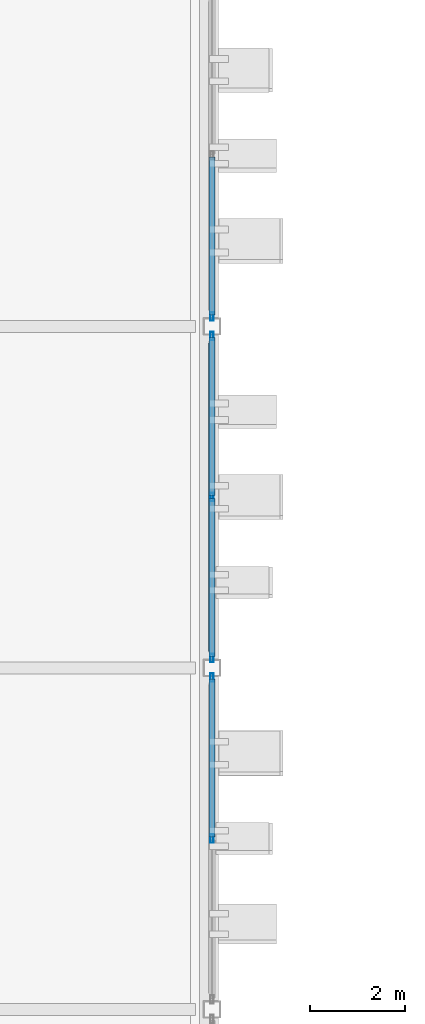
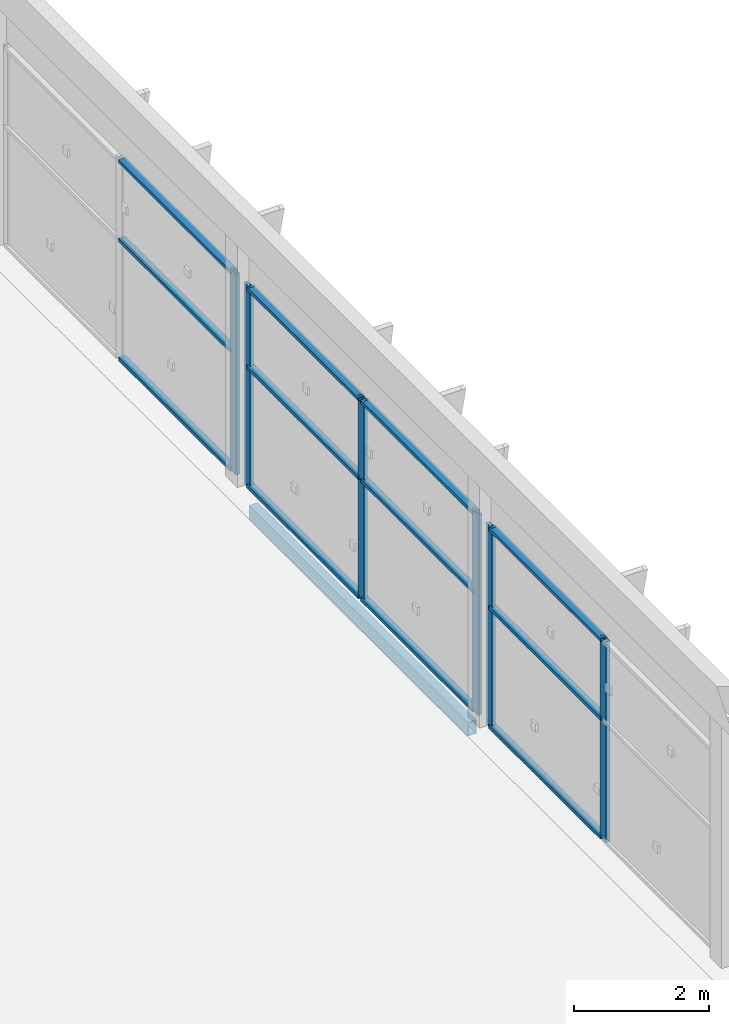
# One storey, part 52 of 124: 18 members, 1 beam, 3 elements without a shape of their own.
"""IFC4 building model written with IfcOpenShell, lengths in metres."""

from ifc_helpers import new_model, si_unit, direction, frame, origin, origin_2d, place, context, subcontext, project, spatial, hollow_rectangle, extrude, material, layer, layer_set, material_profile, profile_set, type_object, element, aggregate, save


model = new_model("IFC4")

# Units and contexts
model_context = context("Model", 3, precision=1e-05, world=origin(), true_north=direction((0.0, 1.0)))
body_context = subcontext(model_context, "Body", "Model", "MODEL_VIEW")
ifc_project = project(units=[si_unit("LENGTHUNIT", "METRE"), si_unit("AREAUNIT", "SQUARE_METRE"), si_unit("VOLUMEUNIT", "CUBIC_METRE"), si_unit("PLANEANGLEUNIT", "RADIAN"), si_unit("MASSUNIT", "GRAM", prefix="KILO")], contexts=[model_context])

# Site, building, storey
site_placement = place(None, origin())
site = spatial("IfcSite", under=ifc_project, at=site_placement, CompositionType="ELEMENT")
building_placement = place(site_placement, origin())
building = spatial("IfcBuilding", under=site, at=building_placement, Name="Celestram Park Convention Centre", CompositionType="ELEMENT")
storey_placement = place(building_placement, frame((0.0, 0.0, 15.300048828125)))
storey = spatial("IfcBuildingStorey", under=building, at=storey_placement, Name="L03", CompositionType="ELEMENT", Elevation=15.300048828125)

# Curtain wall, member
ifc_material_1 = material(Name="Anodised Aluminium Alloy 6063-T6", Category="aluminium")
ifc_layer = layer(ifc_material_1, 0.179931640625)
ifc_layer_set = layer_set([ifc_layer], Name="Anodised Aluminium Alloy 6063-T6")
curtain_wall_type = type_object("IfcCurtainWallType", Name="ARC-CW-685X365", PredefinedType="NOTDEFINED", material=ifc_layer_set)
curtain_wall_1_placement = place(storey_placement, origin())
curtain_wall_1 = element("IfcCurtainWall", 1, at=curtain_wall_1_placement, inside=storey, type_object=curtain_wall_type, Name="Unitised curtain wall CU-L03-220", PredefinedType="NOTDEFINED")
ifc_material_profile_1 = material_profile(ifc_material_1, hollow_rectangle(XDim=0.06494140625, YDim=0.179931640625, WallThickness=0.00390625, at=origin_2d()), Name="ALU65X180X4")
ifc_profile_set_1 = profile_set([ifc_material_profile_1], Name="Anodised Aluminium Alloy 6063-T6")
member_type_1 = type_object("IfcMemberType", Name="ARC-CWM-150", PredefinedType="MULLION", material=ifc_profile_set_1)
member_1_placement = place(storey_placement, frame((144.0, 93.805419921875, 0.0), z_axis=(0.0, 0.0, 1.0), x_axis=(1.0, 0.0, 0.0)))
member_1 = element("IfcMember", 2, at=member_1_placement, type_object=member_type_1, Name="CW-68X36 mullion 3", PredefinedType="MULLION", context=body_context, shape_type="SweptSolid", body=[
    extrude(hollow_rectangle(XDim=0.06494140625, YDim=0.179931640625, WallThickness=0.00390625, at=origin_2d()), origin(), (0.0, 0.0, 1.0), 3.64794921875),
])

# Curtain wall, members
curtain_wall_2_placement = place(storey_placement, origin())
curtain_wall_2 = element("IfcCurtainWall", 3, at=curtain_wall_2_placement, inside=storey, type_object=curtain_wall_type, Name="Unitised curtain wall CU-L03-221", PredefinedType="NOTDEFINED")
member_2_placement = place(storey_placement, frame((144.0, 93.39453125, 0.0), z_axis=(0.0, 0.0, 1.0), x_axis=(1.0, 0.0, 0.0)))
member_2 = element("IfcMember", 4, at=member_2_placement, type_object=member_type_1, Name="CW-68X36 mullion 1", PredefinedType="MULLION", context=body_context, shape_type="SweptSolid", body=[
    extrude(hollow_rectangle(XDim=0.06494140625, YDim=0.179931640625, WallThickness=0.00390625, at=origin_2d()), origin(), (0.0, 0.0, 1.0), 3.64794921875),
])
member_3_placement = place(storey_placement, frame((144.0, 90.0, 0.0), z_axis=(0.0, 0.0, 1.0), x_axis=(1.0, 0.0, 0.0)))
member_3 = element("IfcMember", 5, at=member_3_placement, type_object=member_type_1, Name="CW-68X36 mullion 2", PredefinedType="MULLION", context=body_context, shape_type="SweptSolid", body=[
    extrude(hollow_rectangle(XDim=0.06494140625, YDim=0.179931640625, WallThickness=0.00390625, at=origin_2d()), origin(), (0.0, 0.0, 1.0), 3.64794921875),
])
member_4_placement = place(storey_placement, frame((144.0, 86.60546875, 0.0), z_axis=(0.0, 0.0, 1.0), x_axis=(1.0, 0.0, 0.0)))
member_4 = element("IfcMember", 6, at=member_4_placement, type_object=member_type_1, Name="CW-68X36 mullion 3", PredefinedType="MULLION", context=body_context, shape_type="SweptSolid", body=[
    extrude(hollow_rectangle(XDim=0.06494140625, YDim=0.179931640625, WallThickness=0.00390625, at=origin_2d()), origin(), (0.0, 0.0, 1.0), 3.64794921875),
])

curtain_wall_3_placement = place(storey_placement, origin())
curtain_wall_3 = element("IfcCurtainWall", 7, at=curtain_wall_3_placement, inside=storey, type_object=curtain_wall_type, Name="Unitised curtain wall CU-L03-222", PredefinedType="NOTDEFINED")
member_5_placement = place(storey_placement, frame((144.0, 86.194580078125, 0.0), z_axis=(0.0, 0.0, 1.0), x_axis=(1.0, 0.0, 0.0)))
member_5 = element("IfcMember", 8, at=member_5_placement, type_object=member_type_1, Name="CW-68X36 mullion 1", PredefinedType="MULLION", context=body_context, shape_type="SweptSolid", body=[
    extrude(hollow_rectangle(XDim=0.06494140625, YDim=0.179931640625, WallThickness=0.00390625, at=origin_2d()), origin(), (0.0, 0.0, 1.0), 3.64794921875),
])
member_6_placement = place(storey_placement, frame((144.0, 82.800048828125, 0.0), z_axis=(0.0, 0.0, 1.0), x_axis=(1.0, 0.0, 0.0)))
member_6 = element("IfcMember", 9, at=member_6_placement, type_object=member_type_1, Name="CW-68X36 mullion 2", PredefinedType="MULLION", context=body_context, shape_type="SweptSolid", body=[
    extrude(hollow_rectangle(XDim=0.06494140625, YDim=0.179931640625, WallThickness=0.00390625, at=origin_2d()), origin(), (0.0, 0.0, 1.0), 3.64794921875),
])

# Member
ifc_material_profile_2 = material_profile(ifc_material_1, hollow_rectangle(XDim=0.1201171875, YDim=0.06005859375, WallThickness=0.0029296875, at=origin_2d()), Name="ALU120X60X3")
ifc_profile_set_2 = profile_set([ifc_material_profile_2], Name="Anodised Aluminium Alloy 6063-T6")
member_type_2 = type_object("IfcMemberType", Name="ARC-CWT-120", PredefinedType="USERDEFINED", material=ifc_profile_set_2)
member_7_placement = place(storey_placement, frame((144.0, 97.16748046875, 0.030029296875), z_axis=(0.0, -1.0, 0.0), x_axis=(1.0, 0.0, 0.0)))
member_7 = element("IfcMember", 10, at=member_7_placement, type_object=member_type_2, Name="CW-68X36 transom 2.1", ObjectType="TRANSOM", PredefinedType="USERDEFINED", context=body_context, shape_type="SweptSolid", body=[
    extrude(hollow_rectangle(XDim=0.1201171875, YDim=0.06005859375, WallThickness=0.0029296875, at=origin_2d()), origin(), (0.0, 0.0, 1.0), 3.32958984375),
])

member_8_placement = place(storey_placement, frame((144.0, 97.16748046875, 2.18896484375), z_axis=(0.0, -1.0, 0.0), x_axis=(1.0, 0.0, 0.0)))
member_8 = element("IfcMember", 11, at=member_8_placement, type_object=member_type_2, Name="CW-68X36 transom 2.2", ObjectType="TRANSOM", PredefinedType="USERDEFINED", context=body_context, shape_type="SweptSolid", body=[
    extrude(hollow_rectangle(XDim=0.1201171875, YDim=0.06005859375, WallThickness=0.0029296875, at=origin_2d()), origin(), (0.0, 0.0, 1.0), 3.32958984375),
])

member_9_placement = place(storey_placement, frame((144.0, 97.16748046875, 3.617919921875), z_axis=(0.0, -1.0, 0.0), x_axis=(1.0, 0.0, 0.0)))
member_9 = element("IfcMember", 12, at=member_9_placement, type_object=member_type_2, Name="CW-68X36 transom 2.3", ObjectType="TRANSOM", PredefinedType="USERDEFINED", context=body_context, shape_type="SweptSolid", body=[
    extrude(hollow_rectangle(XDim=0.1201171875, YDim=0.06005859375, WallThickness=0.0029296875, at=origin_2d()), origin(), (0.0, 0.0, 1.0), 3.32958984375),
])

aggregate(curtain_wall_1, [member_1, member_7, member_8, member_9])

member_10_placement = place(storey_placement, frame((144.0, 93.362060546875, 0.030029296875), z_axis=(0.0, -1.0, 0.0), x_axis=(1.0, 0.0, 0.0)))
member_10 = element("IfcMember", 13, at=member_10_placement, type_object=member_type_2, Name="CW-68X36 transom 1.1", ObjectType="TRANSOM", PredefinedType="USERDEFINED", context=body_context, shape_type="SweptSolid", body=[
    extrude(hollow_rectangle(XDim=0.1201171875, YDim=0.06005859375, WallThickness=0.0029296875, at=origin_2d()), origin(), (0.0, 0.0, 1.0), 3.32958984375),
])

member_11_placement = place(storey_placement, frame((144.0, 93.362060546875, 2.18896484375), z_axis=(0.0, -1.0, 0.0), x_axis=(1.0, 0.0, 0.0)))
member_11 = element("IfcMember", 14, at=member_11_placement, type_object=member_type_2, Name="CW-68X36 transom 1.2", ObjectType="TRANSOM", PredefinedType="USERDEFINED", context=body_context, shape_type="SweptSolid", body=[
    extrude(hollow_rectangle(XDim=0.1201171875, YDim=0.06005859375, WallThickness=0.0029296875, at=origin_2d()), origin(), (0.0, 0.0, 1.0), 3.32958984375),
])

member_12_placement = place(storey_placement, frame((144.0, 93.362060546875, 3.617919921875), z_axis=(0.0, -1.0, 0.0), x_axis=(1.0, 0.0, 0.0)))
member_12 = element("IfcMember", 15, at=member_12_placement, type_object=member_type_2, Name="CW-68X36 transom 1.3", ObjectType="TRANSOM", PredefinedType="USERDEFINED", context=body_context, shape_type="SweptSolid", body=[
    extrude(hollow_rectangle(XDim=0.1201171875, YDim=0.06005859375, WallThickness=0.0029296875, at=origin_2d()), origin(), (0.0, 0.0, 1.0), 3.32958984375),
])

member_13_placement = place(storey_placement, frame((144.0, 89.967529296875, 0.030029296875), z_axis=(0.0, -1.0, 0.0), x_axis=(1.0, 0.0, 0.0)))
member_13 = element("IfcMember", 16, at=member_13_placement, type_object=member_type_2, Name="CW-68X36 transom 2.1", ObjectType="TRANSOM", PredefinedType="USERDEFINED", context=body_context, shape_type="SweptSolid", body=[
    extrude(hollow_rectangle(XDim=0.1201171875, YDim=0.06005859375, WallThickness=0.0029296875, at=origin_2d()), origin(), (0.0, 0.0, 1.0), 3.32958984375),
])

member_14_placement = place(storey_placement, frame((144.0, 89.967529296875, 2.18896484375), z_axis=(0.0, -1.0, 0.0), x_axis=(1.0, 0.0, 0.0)))
member_14 = element("IfcMember", 17, at=member_14_placement, type_object=member_type_2, Name="CW-68X36 transom 2.2", ObjectType="TRANSOM", PredefinedType="USERDEFINED", context=body_context, shape_type="SweptSolid", body=[
    extrude(hollow_rectangle(XDim=0.1201171875, YDim=0.06005859375, WallThickness=0.0029296875, at=origin_2d()), origin(), (0.0, 0.0, 1.0), 3.32958984375),
])

member_15_placement = place(storey_placement, frame((144.0, 89.967529296875, 3.617919921875), z_axis=(0.0, -1.0, 0.0), x_axis=(1.0, 0.0, 0.0)))
member_15 = element("IfcMember", 18, at=member_15_placement, type_object=member_type_2, Name="CW-68X36 transom 2.3", ObjectType="TRANSOM", PredefinedType="USERDEFINED", context=body_context, shape_type="SweptSolid", body=[
    extrude(hollow_rectangle(XDim=0.1201171875, YDim=0.06005859375, WallThickness=0.0029296875, at=origin_2d()), origin(), (0.0, 0.0, 1.0), 3.32958984375),
])

aggregate(curtain_wall_2, [member_2, member_3, member_4, member_10, member_11, member_12, member_13, member_14, member_15])

member_16_placement = place(storey_placement, frame((144.0, 86.162109375, 0.030029296875), z_axis=(0.0, -1.0, 0.0), x_axis=(1.0, 0.0, 0.0)))
member_16 = element("IfcMember", 19, at=member_16_placement, type_object=member_type_2, Name="CW-68X36 transom 1.1", ObjectType="TRANSOM", PredefinedType="USERDEFINED", context=body_context, shape_type="SweptSolid", body=[
    extrude(hollow_rectangle(XDim=0.1201171875, YDim=0.06005859375, WallThickness=0.0029296875, at=origin_2d()), origin(), (0.0, 0.0, 1.0), 3.32958984375),
])

member_17_placement = place(storey_placement, frame((144.0, 86.162109375, 2.18896484375), z_axis=(0.0, -1.0, 0.0), x_axis=(1.0, 0.0, 0.0)))
member_17 = element("IfcMember", 20, at=member_17_placement, type_object=member_type_2, Name="CW-68X36 transom 1.2", ObjectType="TRANSOM", PredefinedType="USERDEFINED", context=body_context, shape_type="SweptSolid", body=[
    extrude(hollow_rectangle(XDim=0.1201171875, YDim=0.06005859375, WallThickness=0.0029296875, at=origin_2d()), origin(), (0.0, 0.0, 1.0), 3.32958984375),
])

member_18_placement = place(storey_placement, frame((144.0, 86.162109375, 3.617919921875), z_axis=(0.0, -1.0, 0.0), x_axis=(1.0, 0.0, 0.0)))
member_18 = element("IfcMember", 21, at=member_18_placement, type_object=member_type_2, Name="CW-68X36 transom 1.3", ObjectType="TRANSOM", PredefinedType="USERDEFINED", context=body_context, shape_type="SweptSolid", body=[
    extrude(hollow_rectangle(XDim=0.1201171875, YDim=0.06005859375, WallThickness=0.0029296875, at=origin_2d()), origin(), (0.0, 0.0, 1.0), 3.32958984375),
])

aggregate(curtain_wall_3, [member_5, member_6, member_16, member_17, member_18])

# Beam
ifc_material_2 = material(Name="Steel ASTM A500 Grade C", Category="steel")
ifc_material_profile_3 = material_profile(ifc_material_2, hollow_rectangle(XDim=0.14990234375, YDim=0.25, WallThickness=0.010009765625, at=origin_2d()), Name="HSS250X150X10")
ifc_profile_set_3 = profile_set([ifc_material_profile_3], Name="Steel ASTM A500 Grade C")
beam_type = type_object("IfcBeamType", Name="STR-SPN-HSS250X150", PredefinedType="SPANDREL", material=ifc_profile_set_3)
beam_placement = place(storey_placement, frame((144.0, 86.748046875, -0.375), z_axis=(0.0, 1.0, 0.0), x_axis=(-1.0, 0.0, 0.0)))
element("IfcBeam", 22, at=beam_placement, inside=storey, type_object=beam_type, Name="Primary Y-girder BG-L03-0230", PredefinedType="SPANDREL", context=body_context, shape_type="SweptSolid", body=[
    extrude(hollow_rectangle(XDim=0.14990234375, YDim=0.25, WallThickness=0.010009765625, at=origin_2d()), origin(), (0.0, 0.0, 1.0), 6.50390625),
])

save(model, "model.ifc")
